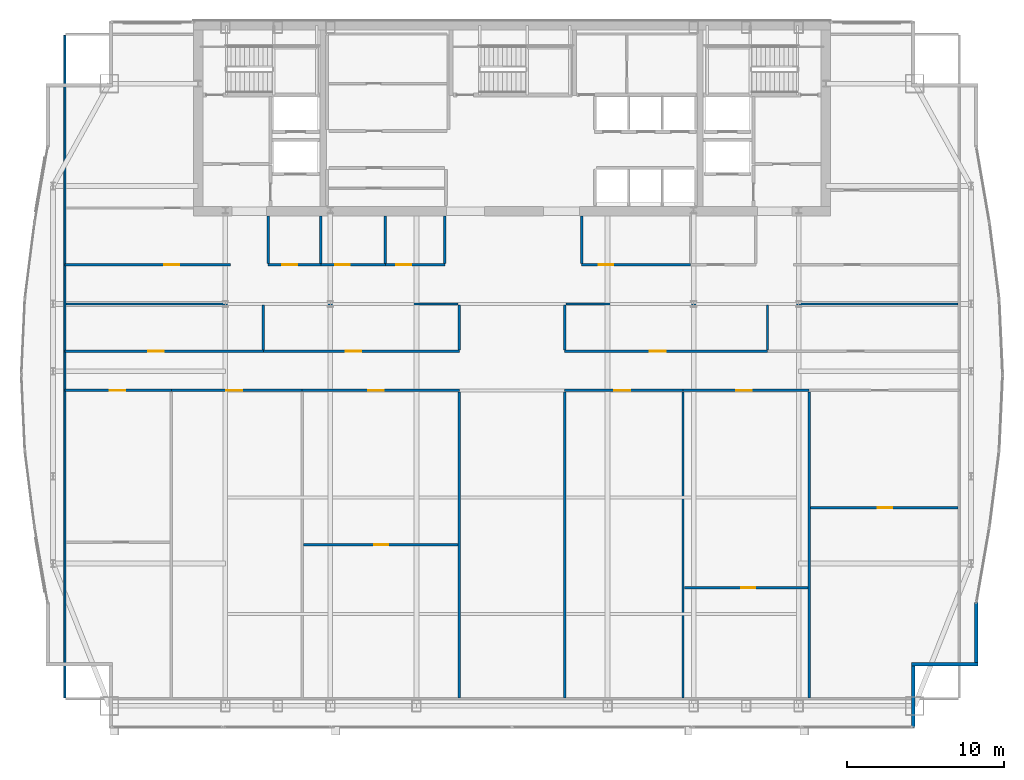
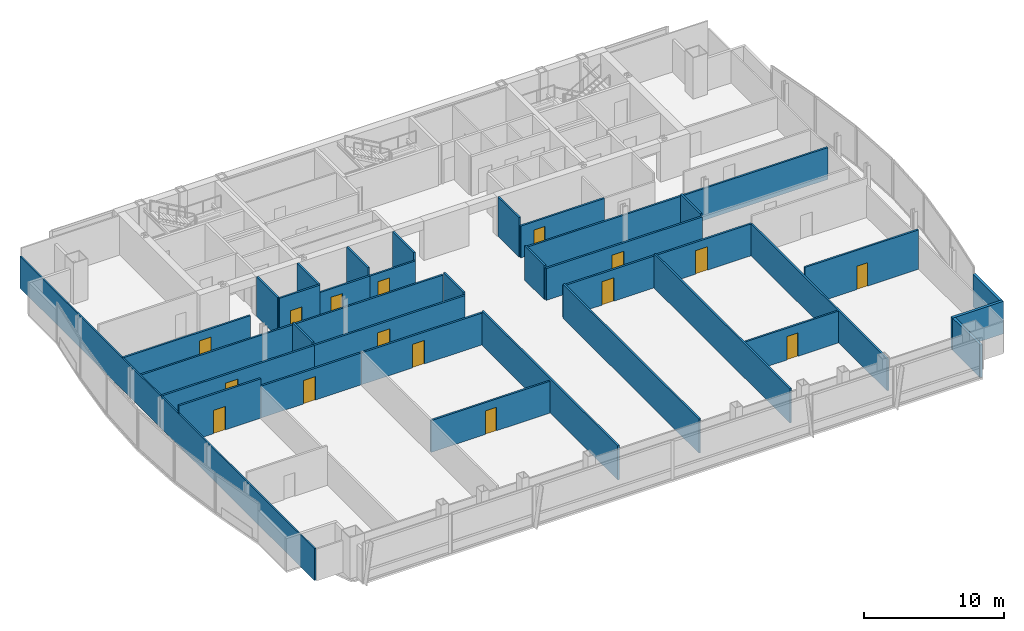
# One storey, part 25 of 30: 35 walls, 16 doors, 16 openings.
"""IFC4 building model written with IfcOpenShell, lengths in metres."""

import ifcopenshell
import ifcopenshell.guid

model = None  # the IFC model being written
_history = None  # IfcOwnerHistory: only IFC2X3 demands one
_inside = {}  # id of a spatial element -> (the spatial element, [elements in it])
_under = {}  # id of a project, library or spatial element -> (it, [spatial elements below it])
_declared = {}  # id of a project -> (the project, [libraries it declares])
_typed = {}  # id of a type object -> (the type object, [elements of that type])
_made_of = {}  # id of a material, layer set ... -> (it, [elements and type objects made of it])


def new_model(schema):
    """Start an empty IFC model of exactly this schema.

    Asked for "IFC4X3", IfcOpenShell would pick the latest addendum, in which some entities
    have other attributes; the version numbers below select the first issue.
    IFC2X3 requires an IfcOwnerHistory on every rooted entity: one is made here for all.
    """
    global model, _history
    if schema == "IFC4X3":
        model = ifcopenshell.file(schema_version=(4, 3, 0, 0))
    else:
        model = ifcopenshell.file(schema=schema)
    _inside.clear()
    _under.clear()
    _declared.clear()
    _typed.clear()
    _made_of.clear()
    _history = None
    if model.schema == "IFC2X3":
        org = make("IfcOrganization", Name="unknown")
        user = make(
            "IfcPersonAndOrganization",
            ThePerson=make("IfcPerson", FamilyName="unknown"),
            TheOrganization=org,
        )
        app = make(
            "IfcApplication",
            ApplicationDeveloper=org,
            Version="unknown",
            ApplicationFullName="unknown",
            ApplicationIdentifier="unknown",
        )
        _history = make(
            "IfcOwnerHistory",
            OwningUser=user,
            OwningApplication=app,
            ChangeAction="ADDED",
            CreationDate=0,
        )
    return model


def make(cls, **values):
    """One entity of the class cls with the attributes given. An attribute that is None is left unset."""
    return model.create_entity(
        cls, **{name: value for name, value in values.items() if value is not None}
    )


def rooted(cls, **values):
    """An entity with a GlobalId (a new one), such as an element, a storey or a relation."""
    return make(cls, GlobalId=ifcopenshell.guid.new(), OwnerHistory=_history, **values)


def si_unit(unit_type, name, prefix=None):
    """IfcSIUnit, for example si_unit("LENGTHUNIT", "METRE", prefix="MILLI")."""
    return make("IfcSIUnit", UnitType=unit_type, Prefix=prefix, Name=name)


def assignment(units):
    """IfcUnitAssignment: the units of a project."""
    return None if units is None else make("IfcUnitAssignment", Units=units)


def point(xyz):
    """IfcCartesianPoint."""
    return None if xyz is None else make("IfcCartesianPoint", Coordinates=xyz)


def direction(xyz):
    """IfcDirection."""
    return None if xyz is None else make("IfcDirection", DirectionRatios=xyz)


def frame(location, z_axis=None, x_axis=None):
    """IfcAxis2Placement3D, a coordinate frame: its origin and axes. An axis left out is left unset."""
    return make(
        "IfcAxis2Placement3D",
        Location=point(location),
        Axis=direction(z_axis),
        RefDirection=direction(x_axis),
    )


def frame_2d(location, x_axis=None):
    """IfcAxis2Placement2D, a coordinate frame in the plane: its origin and x axis."""
    return make(
        "IfcAxis2Placement2D", Location=point(location), RefDirection=direction(x_axis)
    )


def origin():
    """The frame at (0, 0, 0) with its axes left unset."""
    return frame((0.0, 0.0, 0.0))


def place(relative_to, where):
    """IfcLocalPlacement: puts the frame where relative to a parent placement (None: the world)."""
    return make(
        "IfcLocalPlacement", PlacementRelTo=relative_to, RelativePlacement=where
    )


def context(
    kind, dimensions, precision=None, world=None, true_north=None, identifier=None
):
    """IfcGeometricRepresentationContext, for example the 3D "Model" context."""
    return make(
        "IfcGeometricRepresentationContext",
        ContextIdentifier=identifier,
        ContextType=kind,
        CoordinateSpaceDimension=dimensions,
        Precision=precision,
        WorldCoordinateSystem=world,
        TrueNorth=true_north,
    )


def subcontext(parent, identifier, kind, view, scale=None):
    """IfcGeometricRepresentationSubContext, for example "Body" below "Model"."""
    return make(
        "IfcGeometricRepresentationSubContext",
        ContextIdentifier=identifier,
        ContextType=kind,
        ParentContext=parent,
        TargetScale=scale,
        TargetView=view,
    )


def project(units=None, contexts=None):
    """IfcProject with its units and contexts."""
    return rooted(
        "IfcProject",
        Name="project",
        RepresentationContexts=contexts,
        UnitsInContext=assignment(units),
    )


def spatial(cls, under=None, at=None, **own):
    """A site, building, storey or space (cls), placed at a placement, below another one or the project."""
    s = rooted(cls, ObjectPlacement=at, **own)
    if under is not None:
        _under.setdefault(under.id(), (under, []))[1].append(s)
    return s


def profile(cls, at=None, kind="AREA", **sizes):
    """A parametric profile (cls). Its sizes go by their IFC names, for example OverallWidth=200.0."""
    return make(cls, ProfileType=kind, Position=at, **sizes)


def rectangle(**sizes):
    """IfcRectangleProfileDef."""
    return profile("IfcRectangleProfileDef", **sizes)


def extrude(swept, where, along, depth):
    """IfcExtrudedAreaSolid: the profile swept, set in the frame where, extruded along a direction by depth."""
    return make(
        "IfcExtrudedAreaSolid",
        SweptArea=swept,
        Position=where,
        ExtrudedDirection=direction(along),
        Depth=depth,
    )


def shape(context_of_items, identifier, shape_type, items):
    """IfcShapeRepresentation: the items that make up one representation, for example the "Body"."""
    return make(
        "IfcShapeRepresentation",
        ContextOfItems=context_of_items,
        RepresentationIdentifier=identifier,
        RepresentationType=shape_type,
        Items=items,
    )


def material(Name=None, Category=None):
    """IfcMaterial."""
    return make("IfcMaterial", Name=Name, Category=Category)


def layer(
    of_material, thickness, ventilated=None, Name=None, Category=None, Priority=None
):
    """IfcMaterialLayer: one layer of a wall or slab, of a material (None: an air gap)."""
    return make(
        "IfcMaterialLayer",
        Material=of_material,
        LayerThickness=thickness,
        IsVentilated=ventilated,
        Name=Name,
        Category=Category,
        Priority=Priority,
    )


def layer_set(layers, Name=None):
    """IfcMaterialLayerSet."""
    return make("IfcMaterialLayerSet", MaterialLayers=layers, LayerSetName=Name)


def made_of(thing, what):
    """Note that an element or type object is made of a material, layer set ...; save() writes the relation."""
    if what is not None:
        _made_of.setdefault(what.id(), (what, []))[1].append(thing)
    return thing


def type_object(cls, material=None, **own):
    """A type object (cls), such as IfcWallType, which elements share."""
    return made_of(rooted(cls, **own), material)


def element(
    cls,
    number,
    at=None,
    inside=None,
    cuts=None,
    type_object=None,
    material=None,
    context=None,
    identifier="Body",
    shape_type=None,
    held_by="IfcProductDefinitionShape",
    body=None,
    shapes=None,
    **own,
):
    """One element of the class cls, such as IfcWall. Its Tag is "e" and its number.

    at: its placement. inside: the storey or other place that contains it. cuts: it is an
    opening in that element (IfcRelVoidsElement). A single representation is given by context,
    identifier, shape_type and body (its items); several are given by shapes. held_by: the class
    of the entity that holds the representations. save() writes the other relations.
    """
    e = rooted(cls, Tag="e%d" % number, ObjectPlacement=at, **own)
    if body is not None:
        shapes = [shape(context, identifier, shape_type, body)]
    if shapes is not None:
        e.Representation = make(held_by, Representations=shapes)
    if inside is not None:
        _inside.setdefault(inside.id(), (inside, []))[1].append(e)
    if cuts is not None:
        rooted(
            "IfcRelVoidsElement", RelatingBuildingElement=cuts, RelatedOpeningElement=e
        )
    if type_object is not None:
        _typed.setdefault(type_object.id(), (type_object, []))[1].append(e)
    return made_of(e, material)


def fill(opening, filler):
    """IfcRelFillsElement: the door or window that sits in an opening."""
    return rooted(
        "IfcRelFillsElement",
        RelatingOpeningElement=opening,
        RelatedBuildingElement=filler,
    )


def aggregate(whole, parts):
    """IfcRelAggregates: a whole, such as a stair, and the parts it consists of."""
    return rooted("IfcRelAggregates", RelatingObject=whole, RelatedObjects=parts)


def save(model, path):
    """Write the relations noted so far, then the file.

    IfcRelAggregates (storeys below a building ...), IfcRelContainedInSpatialStructure (elements
    in a storey), IfcRelDefinesByType, IfcRelAssociatesMaterial and IfcRelDeclares: one each for
    every whole, place, type object, material and project.
    """
    for whole, parts in _under.values():
        aggregate(whole, parts)
    for where, things in _inside.values():
        rooted(
            "IfcRelContainedInSpatialStructure",
            RelatedElements=things,
            RelatingStructure=where,
        )
    for kind, things in _typed.values():
        rooted("IfcRelDefinesByType", RelatedObjects=things, RelatingType=kind)
    for what, things in _made_of.values():
        rooted("IfcRelAssociatesMaterial", RelatedObjects=things, RelatingMaterial=what)
    for by, libraries in _declared.values():
        rooted("IfcRelDeclares", RelatingContext=by, RelatedDefinitions=libraries)
    model.write(path)


model = new_model("IFC4")

# Units and contexts
model_context = context("Model", 3, precision=1e-05, world=origin(), true_north=direction((0.0, 1.0)))
body_context = subcontext(model_context, "Body", "Model", "MODEL_VIEW")
ifc_project = project(units=[si_unit("LENGTHUNIT", "METRE"), si_unit("AREAUNIT", "SQUARE_METRE"), si_unit("VOLUMEUNIT", "CUBIC_METRE"), si_unit("PLANEANGLEUNIT", "RADIAN"), si_unit("MASSUNIT", "GRAM", prefix="KILO")], contexts=[model_context])

# Site, building, storey
site_placement = place(None, origin())
site = spatial("IfcSite", under=ifc_project, at=site_placement, CompositionType="ELEMENT")
building_placement = place(site_placement, origin())
building = spatial("IfcBuilding", under=site, at=building_placement, Name="Khoronbel Lancet Exchange", CompositionType="ELEMENT")
storey_placement = place(building_placement, frame((0.0, 0.0, 224.60009765625)))
storey = spatial("IfcBuildingStorey", under=building, at=storey_placement, Name="L57", CompositionType="ELEMENT", Elevation=224.60009765625)

# Walls
ifc_material_1 = material(Name="Precast concrete C40/50", Category="concrete")
ifc_layer_1 = layer(ifc_material_1, 0.25, Name="Precast concrete C40/50")
ifc_layer_set_1 = layer_set([ifc_layer_1], Name="Precast concrete C40/50")
wall_type_1 = type_object("IfcWallType", Name="WL-EXT250", PredefinedType="SOLIDWALL", material=ifc_layer_set_1)
wall_1_placement = place(storey_placement, frame((65.9599609375, 16.727783203125, 0.0), z_axis=(0.0, 0.0, 1.0), x_axis=(0.0, -1.0, 0.0)))
element("IfcWall", 1, at=wall_1_placement, inside=storey, type_object=wall_type_1, Name="Level L57 notched-corner limestone pier 23", PredefinedType="SOLIDWALL", context=body_context, shape_type="SweptSolid", body=[
    extrude(rectangle(XDim=3.827880859375, YDim=0.219970703125, at=frame_2d((1.9140625, 0.0))), origin(), (0.0, 0.0, 1.0), 2.829833984375),
])
wall_2_placement = place(storey_placement, frame((66.070068359375, 12.7900390625, 0.0), z_axis=(0.0, 0.0, 1.0), x_axis=(-1.0, 0.0, 0.0)))
element("IfcWall", 2, at=wall_2_placement, inside=storey, type_object=wall_type_1, Name="Level L57 notched-corner limestone pier 24", PredefinedType="SOLIDWALL", context=body_context, shape_type="SweptSolid", body=[
    extrude(rectangle(XDim=4.219970703125, YDim=0.219970703125, at=frame_2d((2.10986328125, 0.0))), origin(), (0.0, 0.0, 1.0), 2.829833984375),
])
wall_3_placement = place(storey_placement, frame((61.9599609375, 12.679931640625, 0.0), z_axis=(0.0, 0.0, 1.0), x_axis=(0.0, -1.0, 0.0)))
element("IfcWall", 3, at=wall_3_placement, inside=storey, type_object=wall_type_1, Name="Level L57 notched-corner limestone pier 25", PredefinedType="SOLIDWALL", context=body_context, shape_type="SweptSolid", body=[
    extrude(rectangle(XDim=3.909912109375, YDim=0.219970703125, at=frame_2d((1.955078125, 0.0))), origin(), (0.0, 0.0, 1.0), 2.829833984375),
])
ifc_material_2 = material(Name="Acoustic Metal-Stud & Mineral-Wool Gypsum Partition 120 mm", Category="gypsum")
ifc_layer_2 = layer(ifc_material_2, 0.1201171875, Name="Acoustic Metal-Stud & Mineral-Wool Gypsum Partition 120 mm")
ifc_layer_set_2 = layer_set([ifc_layer_2], Name="Acoustic Metal-Stud & Mineral-Wool Gypsum Partition 120 mm")
wall_type_2 = type_object("IfcWallType", Name="WL-PRT120", PredefinedType="PARTITIONING", material=ifc_layer_set_2)
for number, where, z_axis, x_axis, name in (
    (4, (20.949951171875, 38.280029296875, 0.0), (0.0, 0.0, 1.0), (0.0, 1.0, 0.0), "Level L57 interior partition PW-WC-0"),
    (5, (24.300048828125, 38.280029296875, 0.0), (0.0, 0.0, 1.0), (0.0, 1.0, 0.0), "Level L57 interior partition PW-WC-1"),
    (6, (28.39990234375, 38.280029296875, 0.0), (0.0, 0.0, 1.0), (0.0, 1.0, 0.0), "Level L57 interior partition PW-WC-2"),
    (7, (32.179931640625, 38.280029296875, 0.0), (0.0, 0.0, 1.0), (0.0, 1.0, 0.0), "Level L57 interior partition PW-WC-3"),
    (8, (40.8798828125, 38.280029296875, 0.0), (0.0, 0.0, 1.0), (0.0, 1.0, 0.0), "Level L57 interior partition PW-NP-0"),
):
    element("IfcWall", number, at=place(storey_placement, frame(where, z_axis=z_axis, x_axis=x_axis)), inside=storey, type_object=wall_type_2, Name=name, PredefinedType="PARTITIONING", context=body_context, shape_type="SweptSolid", body=[
        extrude(rectangle(XDim=3.02001953125, YDim=0.14990234375, at=frame_2d((1.510009765625, 0.0))), origin(), (0.0, 0.0, 1.0), 3.43994140625),
    ])

# Wall, opening, door
wall_4_placement = place(storey_placement, frame((23.185302734375, 20.39990234375, 0.0), z_axis=(0.0, 0.0, 1.0), x_axis=(1.0, 0.0, 0.0)))
wall_4 = element("IfcWall", 9, at=wall_4_placement, inside=storey, type_object=wall_type_2, Name="Level L57 interior partition PW-Z3SW-H3", PredefinedType="PARTITIONING", context=body_context, shape_type="SweptSolid", body=[
    extrude(rectangle(XDim=9.834716796875, YDim=0.14990234375, at=frame_2d((4.91748046875, 0.0))), origin(), (0.0, 0.0, 1.0), 2.77978515625),
])
opening_1_placement = place(wall_4_placement, frame((4.49755859375, 0.0, 0.0)))
opening_1 = element("IfcOpeningElement", 10, at=opening_1_placement, cuts=wall_4, Name="Opening D5", PredefinedType="OPENING", context=body_context, shape_type="SweptSolid", body=[
    extrude(rectangle(XDim=0.89990234375, YDim=2.050048828125, at=frame_2d((0.449951171875, 1.02490234375))), frame((0.0, 0.0849609375, 0.0), z_axis=(0.0, -1.0, 0.0), x_axis=(1.0, 0.0, 0.0)), (0.0, 0.0, 1.0), 0.169921875),
])
ifc_material_3 = material(Name="Acoustic Timber Pantry & Support Door", Category="wood")
door_type_1 = type_object("IfcDoorType", Name="DR-D5", OperationType="NOTDEFINED", PredefinedType="DOOR", material=ifc_material_3)
door_1_placement = place(opening_1_placement, origin())
door_1 = element("IfcDoor", 11, at=door_1_placement, inside=storey, type_object=door_type_1, Name="Z3SW inner door 3 L57-1", OperationType="SINGLE_SWING_LEFT", OverallHeight=2.050048828125, OverallWidth=0.89990234375, PredefinedType="DOOR", context=body_context, shape_type="SweptSolid", body=[
    extrude(rectangle(XDim=0.89990234375, YDim=2.050048828125, at=frame_2d((0.449951171875, 1.02490234375))), frame((0.0, 0.02490234375, 0.0), z_axis=(0.0, -1.0, 0.0), x_axis=(1.0, 0.0, 0.0)), (0.0, 0.0, 1.0), 0.050048828125),
])
fill(opening_1, door_1)

wall_5_placement = place(storey_placement, frame((47.40087890625, 17.656005859375, 0.0), z_axis=(0.0, 0.0, 1.0), x_axis=(1.0, 0.0, 0.0)))
wall_5 = element("IfcWall", 12, at=wall_5_placement, inside=storey, type_object=wall_type_2, Name="Level L57 interior partition PW-Z3SE-H2", PredefinedType="PARTITIONING", context=body_context, shape_type="SweptSolid", body=[
    extrude(rectangle(XDim=7.862548828125, YDim=0.14990234375, at=frame_2d((3.93115234375, 0.0))), origin(), (0.0, 0.0, 1.0), 2.77978515625),
])
opening_2_placement = place(wall_5_placement, frame((3.610107421875, 0.0, 0.0)))
opening_2 = element("IfcOpeningElement", 13, at=opening_2_placement, cuts=wall_5, Name="Opening D5", PredefinedType="OPENING", context=body_context, shape_type="SweptSolid", body=[
    extrude(rectangle(XDim=0.89990234375, YDim=2.050048828125, at=frame_2d((0.449951171875, 1.02490234375))), frame((0.0, 0.0849609375, 0.0), z_axis=(0.0, -1.0, 0.0), x_axis=(1.0, 0.0, 0.0)), (0.0, 0.0, 1.0), 0.169921875),
])
door_2_placement = place(opening_2_placement, origin())
door_2 = element("IfcDoor", 14, at=door_2_placement, inside=storey, type_object=door_type_1, Name="Z3SE inner door 2 L57-1", OperationType="SINGLE_SWING_RIGHT", OverallHeight=2.050048828125, OverallWidth=0.89990234375, PredefinedType="DOOR", context=body_context, shape_type="SweptSolid", body=[
    extrude(rectangle(XDim=0.89990234375, YDim=2.050048828125, at=frame_2d((0.449951171875, 1.02490234375))), frame((0.0, 0.02490234375, 0.0), z_axis=(0.0, -1.0, 0.0), x_axis=(1.0, 0.0, 0.0)), (0.0, 0.0, 1.0), 0.050048828125),
])
fill(opening_2, door_2)

wall_6_placement = place(storey_placement, frame((55.42333984375, 22.751953125, 0.0), z_axis=(0.0, 0.0, 1.0), x_axis=(1.0, 0.0, 0.0)))
wall_6 = element("IfcWall", 15, at=wall_6_placement, inside=storey, type_object=wall_type_2, Name="Level L57 interior partition PW-Z3SE-H3", PredefinedType="PARTITIONING", context=body_context, shape_type="SweptSolid", body=[
    extrude(rectangle(XDim=9.381591796875, YDim=0.14990234375, at=frame_2d((4.69091796875, 0.0))), origin(), (0.0, 0.0, 1.0), 3.43994140625),
])
opening_3_placement = place(wall_6_placement, frame((4.287109375, 0.0, 0.0)))
opening_3 = element("IfcOpeningElement", 16, at=opening_3_placement, cuts=wall_6, Name="Opening D5", PredefinedType="OPENING", context=body_context, shape_type="SweptSolid", body=[
    extrude(rectangle(XDim=0.89990234375, YDim=2.050048828125, at=frame_2d((0.449951171875, 1.02490234375))), frame((0.0, 0.0849609375, 0.0), z_axis=(0.0, -1.0, 0.0), x_axis=(1.0, 0.0, 0.0)), (0.0, 0.0, 1.0), 0.169921875),
])
door_3_placement = place(opening_3_placement, origin())
door_3 = element("IfcDoor", 17, at=door_3_placement, inside=storey, type_object=door_type_1, Name="Z3SE inner door 3 L57-1", OperationType="SINGLE_SWING_RIGHT", OverallHeight=2.050048828125, OverallWidth=0.89990234375, PredefinedType="DOOR", context=body_context, shape_type="SweptSolid", body=[
    extrude(rectangle(XDim=0.89990234375, YDim=2.050048828125, at=frame_2d((0.449951171875, 1.02490234375))), frame((0.0, 0.02490234375, 0.0), z_axis=(0.0, -1.0, 0.0), x_axis=(1.0, 0.0, 0.0)), (0.0, 0.0, 1.0), 0.050048828125),
])
fill(opening_3, door_3)

# Wall
wall_7_placement = place(storey_placement, frame((8.030029296875, 10.6650390625, 0.0), z_axis=(0.0, 0.0, 1.0), x_axis=(0.0, 1.0, 0.0)))
element("IfcWall", 18, at=wall_7_placement, inside=storey, type_object=wall_type_2, Name="Level L57 interior partition PW-LIN-W", PredefinedType="PARTITIONING", context=body_context, shape_type="SweptSolid", body=[
    extrude(rectangle(XDim=42.10986328125, YDim=0.1201171875, at=frame_2d((21.054931640625, 0.0))), origin(), (0.0, 0.0, 1.0), 2.77978515625),
])

# Wall, opening, door
ifc_material_4 = material(Name="Fire-Rated Twin-Stud Acoustic Gypsum Partition 150 mm", Category="gypsum")
ifc_layer_3 = layer(ifc_material_4, 0.14990234375, Name="Fire-Rated Twin-Stud Acoustic Gypsum Partition 150 mm")
ifc_layer_set_3 = layer_set([ifc_layer_3], Name="Fire-Rated Twin-Stud Acoustic Gypsum Partition 150 mm")
wall_type_3 = type_object("IfcWallType", Name="WL-PRT150C", PredefinedType="PARTITIONING", material=ifc_layer_set_3)
wall_8_placement = place(storey_placement, frame((20.949951171875, 38.199951171875, 0.0), z_axis=(0.0, 0.0, 1.0), x_axis=(1.0, 0.0, 0.0)))
wall_8 = element("IfcWall", 19, at=wall_8_placement, inside=storey, type_object=wall_type_3, Name="Level L57 interior partition PW-WC-S1", PredefinedType="PARTITIONING", context=body_context, shape_type="SweptSolid", body=[
    extrude(rectangle(XDim=3.35009765625, YDim=0.14990234375, at=frame_2d((1.675048828125, 0.0))), origin(), (0.0, 0.0, 1.0), 3.43994140625),
])
opening_4_placement = place(wall_8_placement, frame((0.89990234375, 0.0, 0.0)))
opening_4 = element("IfcOpeningElement", 20, at=opening_4_placement, cuts=wall_8, Name="Opening D4", PredefinedType="OPENING", context=body_context, shape_type="SweptSolid", body=[
    extrude(rectangle(XDim=0.949951171875, YDim=2.050048828125, at=frame_2d((0.47509765625, 1.02490234375))), frame((0.0, 0.0849609375, 0.0), z_axis=(0.0, -1.0, 0.0), x_axis=(1.0, 0.0, 0.0)), (0.0, 0.0, 1.0), 0.169921875),
])
ifc_material_5 = material(Name="Moisture-Resistant HPL Washroom Door", Category="wood")
door_type_2 = type_object("IfcDoorType", Name="DR-D4", OperationType="NOTDEFINED", PredefinedType="DOOR", material=ifc_material_5)
door_4_placement = place(opening_4_placement, origin())
door_4 = element("IfcDoor", 21, at=door_4_placement, inside=storey, type_object=door_type_2, Name="Male washroom door L57-1", OperationType="SINGLE_SWING_RIGHT", OverallHeight=2.050048828125, OverallWidth=0.949951171875, PredefinedType="DOOR", context=body_context, shape_type="SweptSolid", body=[
    extrude(rectangle(XDim=0.949951171875, YDim=2.050048828125, at=frame_2d((0.47509765625, 1.02490234375))), frame((0.0, 0.02490234375, 0.0), z_axis=(0.0, -1.0, 0.0), x_axis=(1.0, 0.0, 0.0)), (0.0, 0.0, 1.0), 0.050048828125),
])
fill(opening_4, door_4)

wall_9_placement = place(storey_placement, frame((24.300048828125, 38.199951171875, 0.0), z_axis=(0.0, 0.0, 1.0), x_axis=(1.0, 0.0, 0.0)))
wall_9 = element("IfcWall", 22, at=wall_9_placement, inside=storey, type_object=wall_type_3, Name="Level L57 interior partition PW-WC-S2", PredefinedType="PARTITIONING", context=body_context, shape_type="SweptSolid", body=[
    extrude(rectangle(XDim=4.099853515625, YDim=0.14990234375, at=frame_2d((2.0498046875, 0.0))), origin(), (0.0, 0.0, 1.0), 2.77978515625),
])
opening_5_placement = place(wall_9_placement, frame((0.89990234375, 0.0, 0.0)))
opening_5 = element("IfcOpeningElement", 23, at=opening_5_placement, cuts=wall_9, Name="Opening D4", PredefinedType="OPENING", context=body_context, shape_type="SweptSolid", body=[
    extrude(rectangle(XDim=0.949951171875, YDim=2.050048828125, at=frame_2d((0.47509765625, 1.02490234375))), frame((0.0, 0.0849609375, 0.0), z_axis=(0.0, -1.0, 0.0), x_axis=(1.0, 0.0, 0.0)), (0.0, 0.0, 1.0), 0.169921875),
])
door_5_placement = place(opening_5_placement, origin())
door_5 = element("IfcDoor", 24, at=door_5_placement, inside=storey, type_object=door_type_2, Name="Female washroom door L57-1", OperationType="SINGLE_SWING_LEFT", OverallHeight=2.050048828125, OverallWidth=0.949951171875, PredefinedType="DOOR", context=body_context, shape_type="SweptSolid", body=[
    extrude(rectangle(XDim=0.949951171875, YDim=2.050048828125, at=frame_2d((0.47509765625, 1.02490234375))), frame((0.0, 0.02490234375, 0.0), z_axis=(0.0, -1.0, 0.0), x_axis=(1.0, 0.0, 0.0)), (0.0, 0.0, 1.0), 0.050048828125),
])
fill(opening_5, door_5)

wall_10_placement = place(storey_placement, frame((28.39990234375, 38.199951171875, 0.0), z_axis=(0.0, 0.0, 1.0), x_axis=(1.0, 0.0, 0.0)))
wall_10 = element("IfcWall", 25, at=wall_10_placement, inside=storey, type_object=wall_type_3, Name="Level L57 interior partition PW-WC-S3", PredefinedType="PARTITIONING", context=body_context, shape_type="SweptSolid", body=[
    extrude(rectangle(XDim=3.780029296875, YDim=0.14990234375, at=frame_2d((1.89013671875, 0.0))), origin(), (0.0, 0.0, 1.0), 2.77978515625),
])
opening_6_placement = place(wall_10_placement, frame((0.699951171875, 0.0, 0.0)))
opening_6 = element("IfcOpeningElement", 26, at=opening_6_placement, cuts=wall_10, Name="Opening D4", PredefinedType="OPENING", context=body_context, shape_type="SweptSolid", body=[
    extrude(rectangle(XDim=0.949951171875, YDim=2.050048828125, at=frame_2d((0.47509765625, 1.02490234375))), frame((0.0, 0.0849609375, 0.0), z_axis=(0.0, -1.0, 0.0), x_axis=(1.0, 0.0, 0.0)), (0.0, 0.0, 1.0), 0.169921875),
])
door_6_placement = place(opening_6_placement, origin())
door_6 = element("IfcDoor", 27, at=door_6_placement, inside=storey, type_object=door_type_2, Name="Accessible WC door L57-1", OperationType="SINGLE_SWING_RIGHT", OverallHeight=2.050048828125, OverallWidth=0.949951171875, PredefinedType="DOOR", context=body_context, shape_type="SweptSolid", body=[
    extrude(rectangle(XDim=0.949951171875, YDim=2.050048828125, at=frame_2d((0.47509765625, 1.02490234375))), frame((0.0, 0.02490234375, 0.0), z_axis=(0.0, -1.0, 0.0), x_axis=(1.0, 0.0, 0.0)), (0.0, 0.0, 1.0), 0.050048828125),
])
fill(opening_6, door_6)

wall_11_placement = place(storey_placement, frame((40.8798828125, 38.199951171875, 0.0), z_axis=(0.0, 0.0, 1.0), x_axis=(1.0, 0.0, 0.0)))
wall_11 = element("IfcWall", 28, at=wall_11_placement, inside=storey, type_object=wall_type_3, Name="Level L57 interior partition PW-NP-S1", PredefinedType="PARTITIONING", context=body_context, shape_type="SweptSolid", body=[
    extrude(rectangle(XDim=6.920166015625, YDim=0.14990234375, at=frame_2d((3.4599609375, 0.0))), origin(), (0.0, 0.0, 1.0), 2.77978515625),
])
opening_7_placement = place(wall_11_placement, frame((1.10009765625, 0.0, 0.0)))
opening_7 = element("IfcOpeningElement", 29, at=opening_7_placement, cuts=wall_11, Name="Opening D5", PredefinedType="OPENING", context=body_context, shape_type="SweptSolid", body=[
    extrude(rectangle(XDim=0.89990234375, YDim=2.050048828125, at=frame_2d((0.449951171875, 1.02490234375))), frame((0.0, 0.0849609375, 0.0), z_axis=(0.0, -1.0, 0.0), x_axis=(1.0, 0.0, 0.0)), (0.0, 0.0, 1.0), 0.169921875),
])
door_7_placement = place(opening_7_placement, origin())
door_7 = element("IfcDoor", 30, at=door_7_placement, inside=storey, type_object=door_type_1, Name="Floor refreshment pantry door L57-1", OperationType="SINGLE_SWING_LEFT", OverallHeight=2.050048828125, OverallWidth=0.89990234375, PredefinedType="DOOR", context=body_context, shape_type="SweptSolid", body=[
    extrude(rectangle(XDim=0.89990234375, YDim=2.050048828125, at=frame_2d((0.449951171875, 1.02490234375))), frame((0.0, 0.02490234375, 0.0), z_axis=(0.0, -1.0, 0.0), x_axis=(1.0, 0.0, 0.0)), (0.0, 0.0, 1.0), 0.050048828125),
])
fill(opening_7, door_7)

wall_12_placement = place(storey_placement, frame((8.030029296875, 38.199951171875, 0.0), z_axis=(0.0, 0.0, 1.0), x_axis=(1.0, 0.0, 0.0)))
wall_12 = element("IfcWall", 31, at=wall_12_placement, inside=storey, type_object=wall_type_3, Name="Level L57 interior partition PW-NW-S", PredefinedType="PARTITIONING", context=body_context, shape_type="SweptSolid", body=[
    extrude(rectangle(XDim=10.52001953125, YDim=0.14990234375, at=frame_2d((5.260009765625, 0.0))), origin(), (0.0, 0.0, 1.0), 2.77978515625),
])
opening_8_placement = place(wall_12_placement, frame((6.320068359375, 0.0, 0.0)))
opening_8 = element("IfcOpeningElement", 32, at=opening_8_placement, cuts=wall_12, Name="Opening D1", PredefinedType="OPENING", context=body_context, shape_type="SweptSolid", body=[
    extrude(rectangle(XDim=0.949951171875, YDim=2.050048828125, at=frame_2d((0.47509765625, 1.02490234375))), frame((0.0, 0.0849609375, 0.0), z_axis=(0.0, -1.0, 0.0), x_axis=(1.0, 0.0, 0.0)), (0.0, 0.0, 1.0), 0.169921875),
])
ifc_material_6 = material(Name="Acoustic Veneered Timber & Bronze Frame Door", Category="wood")
door_type_3 = type_object("IfcDoorType", Name="DR-D1", OperationType="NOTDEFINED", PredefinedType="DOOR", material=ifc_material_6)
door_8_placement = place(opening_8_placement, origin())
door_8 = element("IfcDoor", 33, at=door_8_placement, inside=storey, type_object=door_type_3, Name="NW corner room door L57-1", OperationType="SINGLE_SWING_LEFT", OverallHeight=2.050048828125, OverallWidth=0.949951171875, PredefinedType="DOOR", context=body_context, shape_type="SweptSolid", body=[
    extrude(rectangle(XDim=0.949951171875, YDim=2.050048828125, at=frame_2d((0.47509765625, 1.02490234375))), frame((0.0, 0.02490234375, 0.0), z_axis=(0.0, -1.0, 0.0), x_axis=(1.0, 0.0, 0.0)), (0.0, 0.0, 1.0), 0.050048828125),
])
fill(opening_8, door_8)

# Walls
for number, where, z_axis, x_axis, name in (
    (34, (33.10009765625, 10.6650390625, 0.0), (0.0, 0.0, 1.0), (0.0, 1.0, 0.0), "Level L57 interior partition PW-Z3-CW1"),
    (35, (39.800048828125, 10.6650390625, 0.0), (0.0, 0.0, 1.0), (0.0, 1.0, 0.0), "Level L57 interior partition PW-Z3-CE1"),
):
    element("IfcWall", number, at=place(storey_placement, frame(where, z_axis=z_axis, x_axis=x_axis)), inside=storey, type_object=wall_type_3, Name=name, PredefinedType="PARTITIONING", context=body_context, shape_type="SweptSolid", body=[
        extrude(rectangle(XDim=19.449951171875, YDim=0.14990234375, at=frame_2d((9.72509765625, 0.0))), origin(), (0.0, 0.0, 1.0), 2.97998046875),
    ])
for number, where, z_axis, x_axis, name in (
    (36, (33.10009765625, 32.784912109375, 0.0), (0.0, 0.0, 1.0), (0.0, 1.0, 0.0), "Level L57 interior partition PW-Z3-CW2"),
    (37, (39.800048828125, 32.784912109375, 0.0), (0.0, 0.0, 1.0), (0.0, 1.0, 0.0), "Level L57 interior partition PW-Z3-CE2"),
):
    element("IfcWall", number, at=place(storey_placement, frame(where, z_axis=z_axis, x_axis=x_axis)), inside=storey, type_object=wall_type_3, Name=name, PredefinedType="PARTITIONING", context=body_context, shape_type="SweptSolid", body=[
        extrude(rectangle(XDim=2.835205078125, YDim=0.14990234375, at=frame_2d((1.41748046875, 0.0))), origin(), (0.0, 0.0, 1.0), 2.97998046875),
    ])
for number, where, z_axis, x_axis, name in (
    (38, (8.094970703125, 35.699951171875, 0.0), (0.0, 0.0, 1.0), (1.0, 0.0, 0.0), "Level L57 interior partition PW-Z3-WN"),
    (39, (39.8798828125, 35.699951171875, 0.0), (0.0, 0.0, 1.0), (1.0, 0.0, 0.0), "Level L57 interior partition PW-Z3-EN"),
):
    element("IfcWall", number, at=place(storey_placement, frame(where, z_axis=z_axis, x_axis=x_axis)), inside=storey, type_object=wall_type_3, Name=name, PredefinedType="PARTITIONING", context=body_context, shape_type="SweptSolid", body=[
        extrude(rectangle(XDim=24.925048828125, YDim=0.14990234375, at=frame_2d((12.46240234375, 0.0))), origin(), (0.0, 0.0, 1.0), 2.77978515625),
    ])
wall_13_placement = place(storey_placement, frame((47.321044921875, 10.6650390625, 0.0), z_axis=(0.0, 0.0, 1.0), x_axis=(0.0, 1.0, 0.0)))
element("IfcWall", 40, at=wall_13_placement, inside=storey, type_object=wall_type_3, Name="Level L57 interior partition PW-Z3SE-V1", PredefinedType="PARTITIONING", context=body_context, shape_type="SweptSolid", body=[
    extrude(rectangle(XDim=19.449951171875, YDim=0.14990234375, at=frame_2d((9.72509765625, 0.0))), origin(), (0.0, 0.0, 1.0), 2.97998046875),
])
wall_14_placement = place(storey_placement, frame((55.343505859375, 10.6650390625, 0.0), z_axis=(0.0, 0.0, 1.0), x_axis=(0.0, 1.0, 0.0)))
element("IfcWall", 41, at=wall_14_placement, inside=storey, type_object=wall_type_3, Name="Level L57 interior partition PW-Z3SE-V2", PredefinedType="PARTITIONING", context=body_context, shape_type="SweptSolid", body=[
    extrude(rectangle(XDim=19.449951171875, YDim=0.14990234375, at=frame_2d((9.72509765625, 0.0))), origin(), (0.0, 0.0, 1.0), 2.77978515625),
])
for number, where, z_axis, x_axis, name in (
    (42, (20.640625, 32.784912109375, 0.0), (0.0, 0.0, 1.0), (0.0, 1.0, 0.0), "Level L57 interior partition PW-Z3NW-V1"),
    (43, (52.693115234375, 32.784912109375, 0.0), (0.0, 0.0, 1.0), (0.0, 1.0, 0.0), "Level L57 interior partition PW-Z3NE-V1"),
):
    element("IfcWall", number, at=place(storey_placement, frame(where, z_axis=z_axis, x_axis=x_axis)), inside=storey, type_object=wall_type_3, Name=name, PredefinedType="PARTITIONING", context=body_context, shape_type="SweptSolid", body=[
        extrude(rectangle(XDim=2.835205078125, YDim=0.14990234375, at=frame_2d((1.41748046875, 0.0))), origin(), (0.0, 0.0, 1.0), 2.97998046875),
    ])

# Wall, opening, door
ifc_material_7 = material(Name="Fire-Rated Twin-Stud Acoustic Gypsum Partition 160 mm", Category="gypsum")
ifc_layer_4 = layer(ifc_material_7, 0.159912109375, Name="Fire-Rated Twin-Stud Acoustic Gypsum Partition 160 mm")
ifc_layer_set_4 = layer_set([ifc_layer_4], Name="Fire-Rated Twin-Stud Acoustic Gypsum Partition 160 mm")
wall_type_4 = type_object("IfcWallType", Name="WL-PRT160C", PredefinedType="PARTITIONING", material=ifc_layer_set_4)
wall_15_placement = place(storey_placement, frame((8.030029296875, 30.199951171875, 0.0), z_axis=(0.0, 0.0, 1.0), x_axis=(1.0, 0.0, 0.0)))
wall_15 = element("IfcWall", 44, at=wall_15_placement, inside=storey, type_object=wall_type_4, Name="Level L57 interior partition PW-Z3SW-COR1", PredefinedType="PARTITIONING", context=body_context, shape_type="SweptSolid", body=[
    extrude(rectangle(XDim=6.76708984375, YDim=0.159912109375, at=frame_2d((3.383544921875, 0.0))), origin(), (0.0, 0.0, 1.0), 3.43994140625),
])
opening_9_placement = place(wall_15_placement, frame((2.84228515625, 0.0, 0.0)))
opening_9 = element("IfcOpeningElement", 45, at=opening_9_placement, cuts=wall_15, Name="Opening D2", PredefinedType="OPENING", context=body_context, shape_type="SweptSolid", body=[
    extrude(rectangle(XDim=1.0, YDim=2.050048828125, at=frame_2d((0.5, 1.02490234375))), frame((0.0, 0.08984375, 0.0), z_axis=(0.0, -1.0, 0.0), x_axis=(1.0, 0.0, 0.0)), (0.0, 0.0, 1.0), 0.179931640625),
])
door_type_4 = type_object("IfcDoorType", Name="DR-D2", OperationType="NOTDEFINED", PredefinedType="DOOR", material=ifc_material_6)
door_9_placement = place(opening_9_placement, origin())
door_9 = element("IfcDoor", 46, at=door_9_placement, inside=storey, type_object=door_type_4, Name="Z3SW bay 1 door L57-1", OperationType="SINGLE_SWING_LEFT", OverallHeight=2.050048828125, OverallWidth=1.0, PredefinedType="DOOR", context=body_context, shape_type="SweptSolid", body=[
    extrude(rectangle(XDim=1.0, YDim=2.050048828125, at=frame_2d((0.5, 1.02490234375))), frame((0.0, 0.02490234375, 0.0), z_axis=(0.0, -1.0, 0.0), x_axis=(1.0, 0.0, 0.0)), (0.0, 0.0, 1.0), 0.050048828125),
])
fill(opening_9, door_9)

wall_16_placement = place(storey_placement, frame((14.797119140625, 30.199951171875, 0.0), z_axis=(0.0, 0.0, 1.0), x_axis=(1.0, 0.0, 0.0)))
wall_16 = element("IfcWall", 47, at=wall_16_placement, inside=storey, type_object=wall_type_4, Name="Level L57 interior partition PW-Z3SW-COR2", PredefinedType="PARTITIONING", context=body_context, shape_type="SweptSolid", body=[
    extrude(rectangle(XDim=8.30810546875, YDim=0.159912109375, at=frame_2d((4.154052734375, 0.0))), origin(), (0.0, 0.0, 1.0), 2.77978515625),
])
opening_10_placement = place(wall_16_placement, frame((3.489501953125, 0.0, 0.0)))
opening_10 = element("IfcOpeningElement", 48, at=opening_10_placement, cuts=wall_16, Name="Opening D2", PredefinedType="OPENING", context=body_context, shape_type="SweptSolid", body=[
    extrude(rectangle(XDim=1.0, YDim=2.050048828125, at=frame_2d((0.5, 1.02490234375))), frame((0.0, 0.08984375, 0.0), z_axis=(0.0, -1.0, 0.0), x_axis=(1.0, 0.0, 0.0)), (0.0, 0.0, 1.0), 0.179931640625),
])
door_10_placement = place(opening_10_placement, origin())
door_10 = element("IfcDoor", 49, at=door_10_placement, inside=storey, type_object=door_type_4, Name="Z3SW bay 2 door L57-1", OperationType="SINGLE_SWING_LEFT", OverallHeight=2.050048828125, OverallWidth=1.0, PredefinedType="DOOR", context=body_context, shape_type="SweptSolid", body=[
    extrude(rectangle(XDim=1.0, YDim=2.050048828125, at=frame_2d((0.5, 1.02490234375))), frame((0.0, 0.02490234375, 0.0), z_axis=(0.0, -1.0, 0.0), x_axis=(1.0, 0.0, 0.0)), (0.0, 0.0, 1.0), 0.050048828125),
])
fill(opening_10, door_10)

wall_17_placement = place(storey_placement, frame((23.105224609375, 30.199951171875, 0.0), z_axis=(0.0, 0.0, 1.0), x_axis=(1.0, 0.0, 0.0)))
wall_17 = element("IfcWall", 50, at=wall_17_placement, inside=storey, type_object=wall_type_4, Name="Level L57 interior partition PW-Z3SW-COR3", PredefinedType="PARTITIONING", context=body_context, shape_type="SweptSolid", body=[
    extrude(rectangle(XDim=9.994873046875, YDim=0.159912109375, at=frame_2d((4.99755859375, 0.0))), origin(), (0.0, 0.0, 1.0), 2.77978515625),
])
opening_11_placement = place(wall_17_placement, frame((4.19775390625, 0.0, 0.0)))
opening_11 = element("IfcOpeningElement", 51, at=opening_11_placement, cuts=wall_17, Name="Opening D2", PredefinedType="OPENING", context=body_context, shape_type="SweptSolid", body=[
    extrude(rectangle(XDim=1.0, YDim=2.050048828125, at=frame_2d((0.5, 1.02490234375))), frame((0.0, 0.08984375, 0.0), z_axis=(0.0, -1.0, 0.0), x_axis=(1.0, 0.0, 0.0)), (0.0, 0.0, 1.0), 0.179931640625),
])
door_11_placement = place(opening_11_placement, origin())
door_11 = element("IfcDoor", 52, at=door_11_placement, inside=storey, type_object=door_type_4, Name="Z3SW bay 3 door L57-1", OperationType="SINGLE_SWING_RIGHT", OverallHeight=2.050048828125, OverallWidth=1.0, PredefinedType="DOOR", context=body_context, shape_type="SweptSolid", body=[
    extrude(rectangle(XDim=1.0, YDim=2.050048828125, at=frame_2d((0.5, 1.02490234375))), frame((0.0, 0.02490234375, 0.0), z_axis=(0.0, -1.0, 0.0), x_axis=(1.0, 0.0, 0.0)), (0.0, 0.0, 1.0), 0.050048828125),
])
fill(opening_11, door_11)

wall_18_placement = place(storey_placement, frame((39.800048828125, 30.199951171875, 0.0), z_axis=(0.0, 0.0, 1.0), x_axis=(1.0, 0.0, 0.0)))
wall_18 = element("IfcWall", 53, at=wall_18_placement, inside=storey, type_object=wall_type_4, Name="Level L57 interior partition PW-Z3SE-COR1", PredefinedType="PARTITIONING", context=body_context, shape_type="SweptSolid", body=[
    extrude(rectangle(XDim=7.52099609375, YDim=0.159912109375, at=frame_2d((3.760498046875, 0.0))), origin(), (0.0, 0.0, 1.0), 2.77978515625),
])
opening_12_placement = place(wall_18_placement, frame((3.15869140625, 0.0, 0.0)))
opening_12 = element("IfcOpeningElement", 54, at=opening_12_placement, cuts=wall_18, Name="Opening D2", PredefinedType="OPENING", context=body_context, shape_type="SweptSolid", body=[
    extrude(rectangle(XDim=1.0, YDim=2.050048828125, at=frame_2d((0.5, 1.02490234375))), frame((0.0, 0.08984375, 0.0), z_axis=(0.0, -1.0, 0.0), x_axis=(1.0, 0.0, 0.0)), (0.0, 0.0, 1.0), 0.179931640625),
])
door_12_placement = place(opening_12_placement, origin())
door_12 = element("IfcDoor", 55, at=door_12_placement, inside=storey, type_object=door_type_4, Name="Z3SE bay 1 door L57-1", OperationType="SINGLE_SWING_RIGHT", OverallHeight=2.050048828125, OverallWidth=1.0, PredefinedType="DOOR", context=body_context, shape_type="SweptSolid", body=[
    extrude(rectangle(XDim=1.0, YDim=2.050048828125, at=frame_2d((0.5, 1.02490234375))), frame((0.0, 0.02490234375, 0.0), z_axis=(0.0, -1.0, 0.0), x_axis=(1.0, 0.0, 0.0)), (0.0, 0.0, 1.0), 0.050048828125),
])
fill(opening_12, door_12)

wall_19_placement = place(storey_placement, frame((47.321044921875, 30.199951171875, 0.0), z_axis=(0.0, 0.0, 1.0), x_axis=(1.0, 0.0, 0.0)))
wall_19 = element("IfcWall", 56, at=wall_19_placement, inside=storey, type_object=wall_type_4, Name="Level L57 interior partition PW-Z3SE-COR2", PredefinedType="PARTITIONING", context=body_context, shape_type="SweptSolid", body=[
    extrude(rectangle(XDim=8.0224609375, YDim=0.159912109375, at=frame_2d((4.01123046875, 0.0))), origin(), (0.0, 0.0, 1.0), 2.77978515625),
])
opening_13_placement = place(wall_19_placement, frame((3.369384765625, 0.0, 0.0)))
opening_13 = element("IfcOpeningElement", 57, at=opening_13_placement, cuts=wall_19, Name="Opening D2", PredefinedType="OPENING", context=body_context, shape_type="SweptSolid", body=[
    extrude(rectangle(XDim=1.0, YDim=2.050048828125, at=frame_2d((0.5, 1.02490234375))), frame((0.0, 0.08984375, 0.0), z_axis=(0.0, -1.0, 0.0), x_axis=(1.0, 0.0, 0.0)), (0.0, 0.0, 1.0), 0.179931640625),
])
door_13_placement = place(opening_13_placement, origin())
door_13 = element("IfcDoor", 58, at=door_13_placement, inside=storey, type_object=door_type_4, Name="Z3SE bay 2 door L57-1", OperationType="SINGLE_SWING_LEFT", OverallHeight=2.050048828125, OverallWidth=1.0, PredefinedType="DOOR", context=body_context, shape_type="SweptSolid", body=[
    extrude(rectangle(XDim=1.0, YDim=2.050048828125, at=frame_2d((0.5, 1.02490234375))), frame((0.0, 0.02490234375, 0.0), z_axis=(0.0, -1.0, 0.0), x_axis=(1.0, 0.0, 0.0)), (0.0, 0.0, 1.0), 0.050048828125),
])
fill(opening_13, door_13)

wall_20_placement = place(storey_placement, frame((8.030029296875, 32.699951171875, 0.0), z_axis=(0.0, 0.0, 1.0), x_axis=(1.0, 0.0, 0.0)))
wall_20 = element("IfcWall", 59, at=wall_20_placement, inside=storey, type_object=wall_type_4, Name="Level L57 interior partition PW-Z3NW-COR1", PredefinedType="PARTITIONING", context=body_context, shape_type="SweptSolid", body=[
    extrude(rectangle(XDim=12.610595703125, YDim=0.159912109375, at=frame_2d((6.30517578125, 0.0))), origin(), (0.0, 0.0, 1.0), 2.77978515625),
])
opening_14_placement = place(wall_20_placement, frame((5.29638671875, 0.0, 0.0)))
opening_14 = element("IfcOpeningElement", 60, at=opening_14_placement, cuts=wall_20, Name="Opening D2", PredefinedType="OPENING", context=body_context, shape_type="SweptSolid", body=[
    extrude(rectangle(XDim=1.0, YDim=2.050048828125, at=frame_2d((0.5, 1.02490234375))), frame((0.0, 0.08984375, 0.0), z_axis=(0.0, -1.0, 0.0), x_axis=(1.0, 0.0, 0.0)), (0.0, 0.0, 1.0), 0.179931640625),
])
door_14_placement = place(opening_14_placement, origin())
door_14 = element("IfcDoor", 61, at=door_14_placement, inside=storey, type_object=door_type_4, Name="Z3NW bay 1 door L57-1", OperationType="SINGLE_SWING_LEFT", OverallHeight=2.050048828125, OverallWidth=1.0, PredefinedType="DOOR", context=body_context, shape_type="SweptSolid", body=[
    extrude(rectangle(XDim=1.0, YDim=2.050048828125, at=frame_2d((0.5, 1.02490234375))), frame((0.0, 0.02490234375, 0.0), z_axis=(0.0, -1.0, 0.0), x_axis=(1.0, 0.0, 0.0)), (0.0, 0.0, 1.0), 0.050048828125),
])
fill(opening_14, door_14)

wall_21_placement = place(storey_placement, frame((20.640625, 32.699951171875, 0.0), z_axis=(0.0, 0.0, 1.0), x_axis=(1.0, 0.0, 0.0)))
wall_21 = element("IfcWall", 62, at=wall_21_placement, inside=storey, type_object=wall_type_4, Name="Level L57 interior partition PW-Z3NW-COR2", PredefinedType="PARTITIONING", context=body_context, shape_type="SweptSolid", body=[
    extrude(rectangle(XDim=12.45947265625, YDim=0.159912109375, at=frame_2d((6.229736328125, 0.0))), origin(), (0.0, 0.0, 1.0), 2.77978515625),
])
opening_15_placement = place(wall_21_placement, frame((5.23291015625, 0.0, 0.0)))
opening_15 = element("IfcOpeningElement", 63, at=opening_15_placement, cuts=wall_21, Name="Opening D2", PredefinedType="OPENING", context=body_context, shape_type="SweptSolid", body=[
    extrude(rectangle(XDim=1.0, YDim=2.050048828125, at=frame_2d((0.5, 1.02490234375))), frame((0.0, 0.08984375, 0.0), z_axis=(0.0, -1.0, 0.0), x_axis=(1.0, 0.0, 0.0)), (0.0, 0.0, 1.0), 0.179931640625),
])
door_15_placement = place(opening_15_placement, origin())
door_15 = element("IfcDoor", 64, at=door_15_placement, inside=storey, type_object=door_type_4, Name="Z3NW bay 2 door L57-1", OperationType="SINGLE_SWING_RIGHT", OverallHeight=2.050048828125, OverallWidth=1.0, PredefinedType="DOOR", context=body_context, shape_type="SweptSolid", body=[
    extrude(rectangle(XDim=1.0, YDim=2.050048828125, at=frame_2d((0.5, 1.02490234375))), frame((0.0, 0.02490234375, 0.0), z_axis=(0.0, -1.0, 0.0), x_axis=(1.0, 0.0, 0.0)), (0.0, 0.0, 1.0), 0.050048828125),
])
fill(opening_15, door_15)

wall_22_placement = place(storey_placement, frame((39.800048828125, 32.699951171875, 0.0), z_axis=(0.0, 0.0, 1.0), x_axis=(1.0, 0.0, 0.0)))
wall_22 = element("IfcWall", 65, at=wall_22_placement, inside=storey, type_object=wall_type_4, Name="Level L57 interior partition PW-Z3NE-COR1", PredefinedType="PARTITIONING", context=body_context, shape_type="SweptSolid", body=[
    extrude(rectangle(XDim=12.89306640625, YDim=0.159912109375, at=frame_2d((6.446533203125, 0.0))), origin(), (0.0, 0.0, 1.0), 2.77978515625),
])
opening_16_placement = place(wall_22_placement, frame((5.4150390625, 0.0, 0.0)))
opening_16 = element("IfcOpeningElement", 66, at=opening_16_placement, cuts=wall_22, Name="Opening D2", PredefinedType="OPENING", context=body_context, shape_type="SweptSolid", body=[
    extrude(rectangle(XDim=1.0, YDim=2.050048828125, at=frame_2d((0.5, 1.02490234375))), frame((0.0, 0.08984375, 0.0), z_axis=(0.0, -1.0, 0.0), x_axis=(1.0, 0.0, 0.0)), (0.0, 0.0, 1.0), 0.179931640625),
])
door_16_placement = place(opening_16_placement, origin())
door_16 = element("IfcDoor", 67, at=door_16_placement, inside=storey, type_object=door_type_4, Name="Z3NE bay 1 door L57-1", OperationType="SINGLE_SWING_LEFT", OverallHeight=2.050048828125, OverallWidth=1.0, PredefinedType="DOOR", context=body_context, shape_type="SweptSolid", body=[
    extrude(rectangle(XDim=1.0, YDim=2.050048828125, at=frame_2d((0.5, 1.02490234375))), frame((0.0, 0.02490234375, 0.0), z_axis=(0.0, -1.0, 0.0), x_axis=(1.0, 0.0, 0.0)), (0.0, 0.0, 1.0), 0.050048828125),
])
fill(opening_16, door_16)

save(model, "model.ifc")
